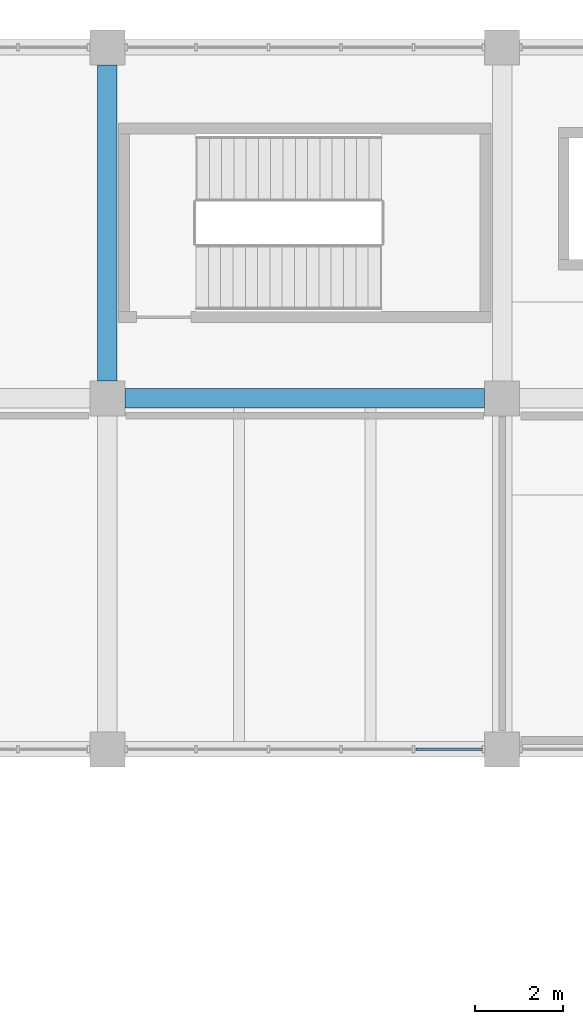
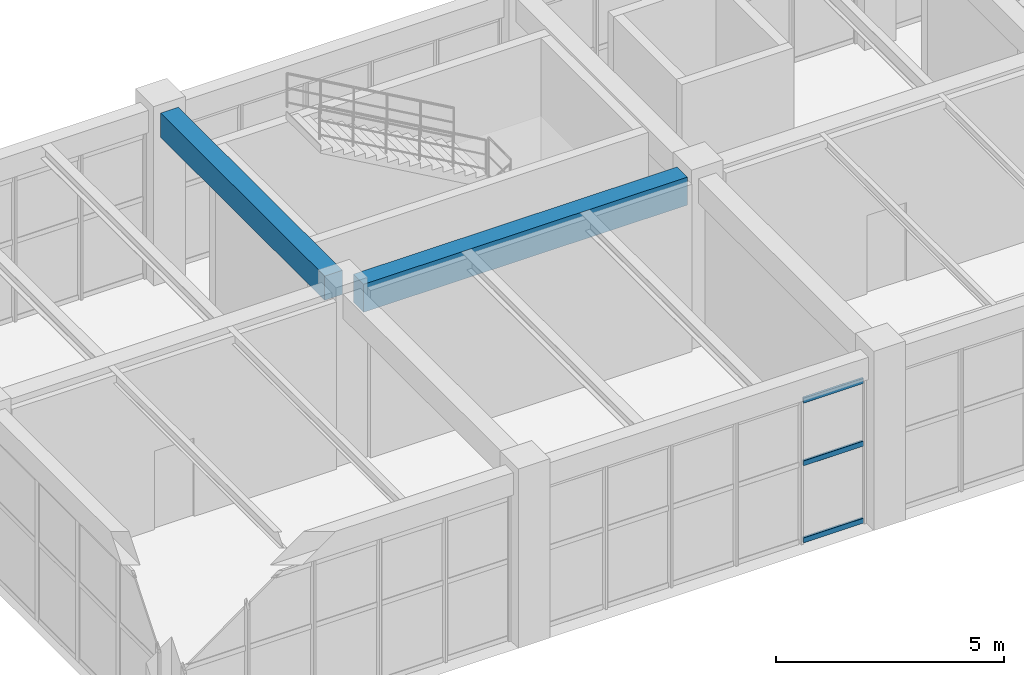
# One storey, part 83 of 178: 3 members, 2 beams, 1 element without a shape of its own.
"""IFC4 building model written with IfcOpenShell, lengths in metres."""

from ifc_helpers import new_model, si_unit, derived_unit, direction, frame, origin, origin_2d, place, context, subcontext, project, spatial, rectangle, hollow_rectangle, extrude, material, material_profile, profile_set, type_object, element, aggregate, save


model = new_model("IFC4")

# Units and contexts
model_context = context("Model", 3, precision=1e-05, world=origin(), true_north=direction((0.0, 1.0)))
body_context = subcontext(model_context, "Body", "Model", "MODEL_VIEW")
ifc_project = project(units=[si_unit("LENGTHUNIT", "METRE"), si_unit("AREAUNIT", "SQUARE_METRE"), si_unit("VOLUMEUNIT", "CUBIC_METRE"), si_unit("PLANEANGLEUNIT", "RADIAN"), si_unit("MASSUNIT", "GRAM", prefix="KILO"), derived_unit("THERMALTRANSMITTANCEUNIT", [(si_unit("MASSUNIT", "GRAM", prefix="KILO"), 1), (si_unit("TIMEUNIT", "SECOND"), -3), (si_unit("THERMODYNAMICTEMPERATUREUNIT", "KELVIN"), -1)])], contexts=[model_context])

# Site, building, storey
site_placement = place(None, origin())
site = spatial("IfcSite", under=ifc_project, at=site_placement, CompositionType="ELEMENT")
building_placement = place(site_placement, origin())
building = spatial("IfcBuilding", under=site, at=building_placement, Name="Zhenchuan Archway Interchange", CompositionType="ELEMENT")
storey_placement = place(building_placement, frame((0.0, 0.0, 5.39990234375)))
storey = spatial("IfcBuildingStorey", under=building, at=storey_placement, Name="L01", CompositionType="ELEMENT", Elevation=5.39990234375)

# Beams
ifc_material_1 = material(Name="Concrete C40", Category="concrete")
ifc_material_profile_1 = material_profile(ifc_material_1, rectangle(XDim=0.449951171875, YDim=0.64990234375, at=origin_2d()), Name="RC 450x650")
ifc_profile_set_1 = profile_set([ifc_material_profile_1], Name="Concrete C40")
beam_type_1 = type_object("IfcBeamType", Name="BM_RC_450x650", PredefinedType="BEAM", material=ifc_profile_set_1)
beam_1_placement = place(storey_placement, frame((9.0, 104.39990234375, 4.2451171875), z_axis=(0.0, 1.0, 0.0), x_axis=(-1.0, 0.0, 0.0)))
element("IfcBeam", 1, at=beam_1_placement, inside=storey, type_object=beam_type_1, Name="Beam 2:O-P (L01)", PredefinedType="BEAM", context=body_context, shape_type="SweptSolid", body=[
    extrude(rectangle(XDim=0.449951171875, YDim=0.64990234375, at=origin_2d()), origin(), (0.0, 0.0, 1.0), 7.2001953125),
])
ifc_material_profile_2 = material_profile(ifc_material_1, rectangle(XDim=0.449951171875, YDim=0.75, at=origin_2d()), Name="RC 450x750")
ifc_profile_set_2 = profile_set([ifc_material_profile_2], Name="Concrete C40")
beam_type_2 = type_object("IfcBeamType", Name="BM_RC_450x750", PredefinedType="BEAM", material=ifc_profile_set_2)
beam_2_placement = place(storey_placement, frame((9.39990234375, 104.0, 4.135009765625), z_axis=(1.0, 0.0, 0.0), x_axis=(0.0, 1.0, 0.0)))
element("IfcBeam", 2, at=beam_2_placement, inside=storey, type_object=beam_type_2, Name="Beam O:2-3 (L01)", PredefinedType="BEAM", context=body_context, shape_type="SweptSolid", body=[
    extrude(rectangle(XDim=0.449951171875, YDim=0.75, at=origin_2d()), origin(), (0.0, 0.0, 1.0), 8.2001953125),
])

# Curtain wall, members
ifc_material_2 = material(Name="Anodised Aluminium", Category="aluminium")
curtain_wall_type = type_object("IfcCurtainWallType", Name="CW_UNIT_2", PredefinedType="NOTDEFINED", material=ifc_material_2)
curtain_wall_placement = place(storey_placement, origin())
curtain_wall = element("IfcCurtainWall", 3, at=curtain_wall_placement, inside=storey, type_object=curtain_wall_type, Name="Unitised curtain wall CW:L01:041", PredefinedType="NOTDEFINED")
ifc_material_profile_3 = material_profile(ifc_material_2, hollow_rectangle(XDim=0.06005859375, YDim=0.139892578125, WallThickness=0.00341796875, InnerFilletRadius=0.00341796875, OuterFilletRadius=0.007080078125, at=origin_2d()), Name="ALU 140x60x3.5")
ifc_profile_set_3 = profile_set([ifc_material_profile_3], Name="Anodised Aluminium")
member_type = type_object("IfcMemberType", Name="CW_TRN_140", PredefinedType="USERDEFINED", material=ifc_profile_set_3)
member_1_placement = place(storey_placement, frame((17.552001953125, 96.0, 0.06005859375), z_axis=(-1.0, 0.0, 0.0), x_axis=(0.0, -1.0, 0.0)))
member_1 = element("IfcMember", 4, at=member_1_placement, type_object=member_type, Name="CW:L01:041 transom 0-1", ObjectType="TRANSOM", PredefinedType="USERDEFINED", context=body_context, shape_type="SweptSolid", body=[
    extrude(hollow_rectangle(XDim=0.06005859375, YDim=0.139892578125, WallThickness=0.00341796875, InnerFilletRadius=0.00341796875, OuterFilletRadius=0.007080078125, at=origin_2d()), origin(), (0.0, 0.0, 1.0), 1.5126953125),
])
member_2_placement = place(storey_placement, frame((17.552001953125, 96.0, 2.123046875), z_axis=(-1.0, 0.0, 0.0), x_axis=(0.0, -1.0, 0.0)))
member_2 = element("IfcMember", 5, at=member_2_placement, type_object=member_type, Name="CW:L01:041 transom 0-2", ObjectType="TRANSOM", PredefinedType="USERDEFINED", context=body_context, shape_type="SweptSolid", body=[
    extrude(hollow_rectangle(XDim=0.06005859375, YDim=0.139892578125, WallThickness=0.00341796875, InnerFilletRadius=0.00341796875, OuterFilletRadius=0.007080078125, at=origin_2d()), origin(), (0.0, 0.0, 1.0), 1.5126953125),
])
member_3_placement = place(storey_placement, frame((17.552001953125, 96.0, 3.800048828125), z_axis=(-1.0, 0.0, 0.0), x_axis=(0.0, -1.0, 0.0)))
member_3 = element("IfcMember", 6, at=member_3_placement, type_object=member_type, Name="CW:L01:041 transom 0-3", ObjectType="TRANSOM", PredefinedType="USERDEFINED", context=body_context, shape_type="SweptSolid", body=[
    extrude(hollow_rectangle(XDim=0.06005859375, YDim=0.139892578125, WallThickness=0.00341796875, InnerFilletRadius=0.00341796875, OuterFilletRadius=0.007080078125, at=origin_2d()), origin(), (0.0, 0.0, 1.0), 1.5126953125),
])
aggregate(curtain_wall, [member_1, member_2, member_3])

save(model, "model.ifc")
